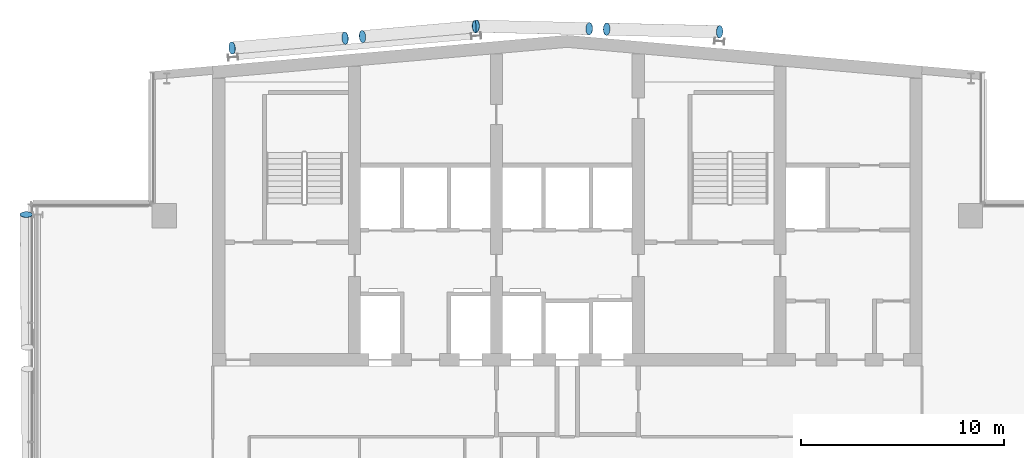
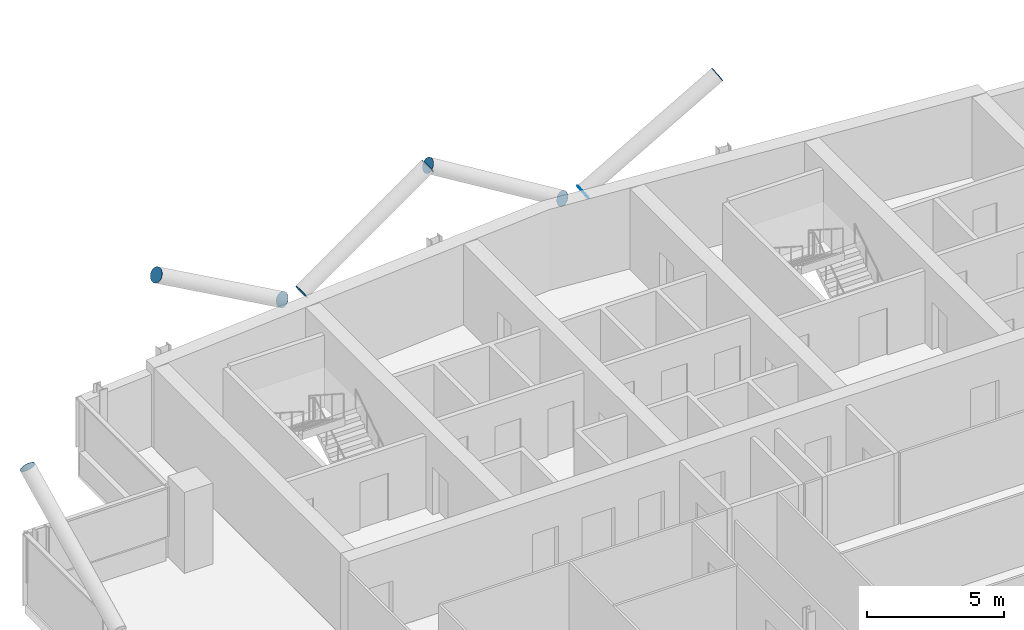
# One storey, part 23 of 27: 9 discrete accessories.
"""IFC4 building model written with IfcOpenShell, lengths in metres."""

from ifc_helpers import new_model, si_unit, direction, frame, origin, origin_2d, place, context, subcontext, project, spatial, circle, extrude, material, material_profile, profile_set, type_object, element, save


model = new_model("IFC4")

# Units and contexts
model_context = context("Model", 3, precision=1e-05, world=origin(), true_north=direction((0.0, 1.0)))
body_context = subcontext(model_context, "Body", "Model", "MODEL_VIEW")
ifc_project = project(units=[si_unit("LENGTHUNIT", "METRE"), si_unit("AREAUNIT", "SQUARE_METRE"), si_unit("VOLUMEUNIT", "CUBIC_METRE"), si_unit("PLANEANGLEUNIT", "RADIAN"), si_unit("MASSUNIT", "GRAM", prefix="KILO")], contexts=[model_context])

# Site, building, storey
site_placement = place(None, origin())
site = spatial("IfcSite", under=ifc_project, at=site_placement, CompositionType="ELEMENT")
building_placement = place(site_placement, origin())
building = spatial("IfcBuilding", under=site, at=building_placement, Name="Wharfspan Tower", CompositionType="ELEMENT")
storey_placement = place(building_placement, frame((0.0, 0.0, 221.5)))
storey = spatial("IfcBuildingStorey", under=building, at=storey_placement, Name="L55", CompositionType="ELEMENT", Elevation=221.5)

# Discrete accessories
ifc_material = material(Name="Steel S460NH", Category="steel")
ifc_material_profile = material_profile(ifc_material, circle(Radius=0.304932, at=origin_2d()))
ifc_profile_set = profile_set([ifc_material_profile], Name="Steel S460NH")
discrete_accessory_type = type_object("IfcDiscreteAccessoryType", Name="End plate CHS 610x25", PredefinedType="BRACKET", material=ifc_profile_set)
for number, where, z_axis, x_axis, name in (
    (1, (13.792969, 41.459717, 6.5), (0.0, 0.884385, 0.466759), (-1.0, 0.0, 0.0), "End plate CHS 610x25"),
    (2, (30.38501, 50.247314, 3.154785), (0.855186, 0.073302, 0.513112), (-0.085402, 0.996345, 1e-06), "End plate CHS 610x25"),
    (3, (35.960693, 50.735107, 6.5), (0.855186, 0.073302, 0.513112), (-0.085402, 0.996345, 1e-06), "End plate CHS 610x25"),
    (4, (29.536133, 50.172852, 3.154785), (-0.855186, -0.073302, 0.513112), (0.085402, -0.996345, 1e-06), "End plate CHS 610x25"),
    (5, (23.960693, 49.685059, 6.5), (-0.855186, -0.073302, 0.513112), (0.085402, -0.996345, 1e-06), "End plate CHS 610x25"),
    (6, (42.434326, 50.616943, 3.154297), (0.846389, -0.024183, 0.532016), (0.028561, 0.999594, -1e-06), "End plate CHS 610x25"),
    (7, (48.010254, 50.490234, 6.5), (0.857236, -0.024492, 0.514341), (0.028558, 0.999591, 2e-06), "End plate CHS 610x25"),
    (8, (41.586426, 50.63623, 3.154297), (-0.846389, 0.024183, 0.532016), (-0.028561, -0.999594, -1e-06), "End plate CHS 610x25"),
    (9, (36.010498, 50.762939, 6.5), (-0.857236, 0.024492, 0.514341), (-0.028558, -0.999591, 2e-06), "End plate CHS 610x25"),
):
    element("IfcDiscreteAccessory", number, at=place(storey_placement, frame(where, z_axis=z_axis, x_axis=x_axis)), inside=storey, type_object=discrete_accessory_type, Name=name, PredefinedType="BRACKET", context=body_context, shape_type="SweptSolid", body=[
        extrude(circle(Radius=0.304932, at=origin_2d()), origin(), (0.0, 0.0, 1.0), 0.01001),
    ])

save(model, "model.ifc")
